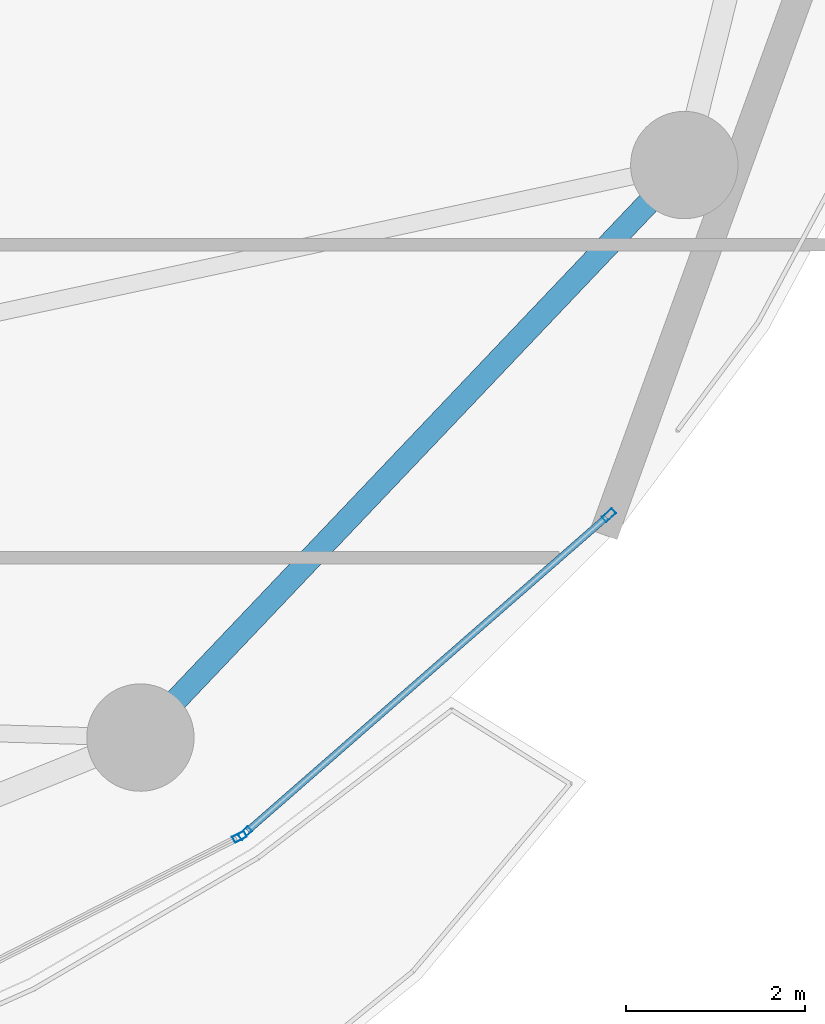
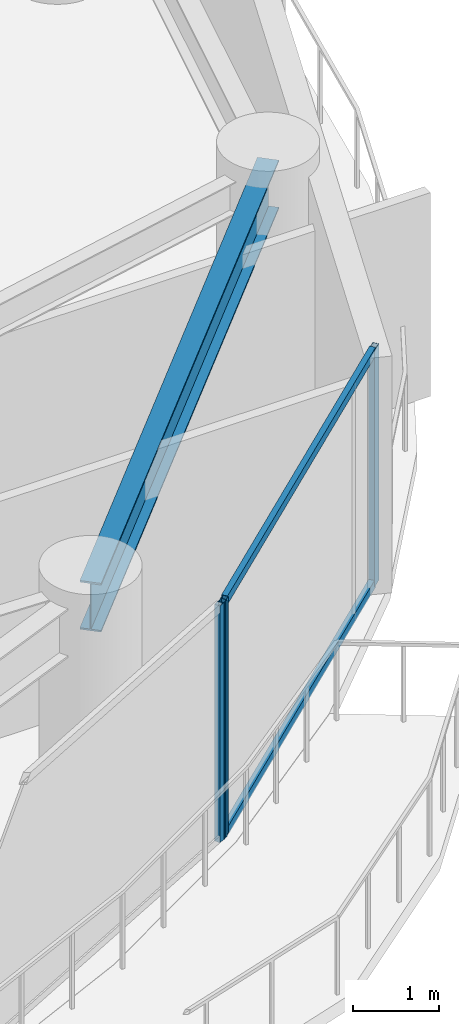
# One storey, part 13 of 30: 5 members, 1 beam, 2 elements without a shape of their own.
"""IFC4 building model written with IfcOpenShell, lengths in metres."""

import ifcopenshell
import ifcopenshell.guid

model = None  # the IFC model being written
_history = None  # IfcOwnerHistory: only IFC2X3 demands one
_inside = {}  # id of a spatial element -> (the spatial element, [elements in it])
_under = {}  # id of a project, library or spatial element -> (it, [spatial elements below it])
_declared = {}  # id of a project -> (the project, [libraries it declares])
_typed = {}  # id of a type object -> (the type object, [elements of that type])
_made_of = {}  # id of a material, layer set ... -> (it, [elements and type objects made of it])


def new_model(schema):
    """Start an empty IFC model of exactly this schema.

    Asked for "IFC4X3", IfcOpenShell would pick the latest addendum, in which some entities
    have other attributes; the version numbers below select the first issue.
    IFC2X3 requires an IfcOwnerHistory on every rooted entity: one is made here for all.
    """
    global model, _history
    if schema == "IFC4X3":
        model = ifcopenshell.file(schema_version=(4, 3, 0, 0))
    else:
        model = ifcopenshell.file(schema=schema)
    _inside.clear()
    _under.clear()
    _declared.clear()
    _typed.clear()
    _made_of.clear()
    _history = None
    if model.schema == "IFC2X3":
        org = make("IfcOrganization", Name="unknown")
        user = make(
            "IfcPersonAndOrganization",
            ThePerson=make("IfcPerson", FamilyName="unknown"),
            TheOrganization=org,
        )
        app = make(
            "IfcApplication",
            ApplicationDeveloper=org,
            Version="unknown",
            ApplicationFullName="unknown",
            ApplicationIdentifier="unknown",
        )
        _history = make(
            "IfcOwnerHistory",
            OwningUser=user,
            OwningApplication=app,
            ChangeAction="ADDED",
            CreationDate=0,
        )
    return model


def make(cls, **values):
    """One entity of the class cls with the attributes given. An attribute that is None is left unset."""
    return model.create_entity(
        cls, **{name: value for name, value in values.items() if value is not None}
    )


def rooted(cls, **values):
    """An entity with a GlobalId (a new one), such as an element, a storey or a relation."""
    return make(cls, GlobalId=ifcopenshell.guid.new(), OwnerHistory=_history, **values)


def si_unit(unit_type, name, prefix=None):
    """IfcSIUnit, for example si_unit("LENGTHUNIT", "METRE", prefix="MILLI")."""
    return make("IfcSIUnit", UnitType=unit_type, Prefix=prefix, Name=name)


def assignment(units):
    """IfcUnitAssignment: the units of a project."""
    return None if units is None else make("IfcUnitAssignment", Units=units)


def point(xyz):
    """IfcCartesianPoint."""
    return None if xyz is None else make("IfcCartesianPoint", Coordinates=xyz)


def direction(xyz):
    """IfcDirection."""
    return None if xyz is None else make("IfcDirection", DirectionRatios=xyz)


def frame(location, z_axis=None, x_axis=None):
    """IfcAxis2Placement3D, a coordinate frame: its origin and axes. An axis left out is left unset."""
    return make(
        "IfcAxis2Placement3D",
        Location=point(location),
        Axis=direction(z_axis),
        RefDirection=direction(x_axis),
    )


def frame_2d(location, x_axis=None):
    """IfcAxis2Placement2D, a coordinate frame in the plane: its origin and x axis."""
    return make(
        "IfcAxis2Placement2D", Location=point(location), RefDirection=direction(x_axis)
    )


def origin():
    """The frame at (0, 0, 0) with its axes left unset."""
    return frame((0.0, 0.0, 0.0))


def origin_2d():
    """The frame at (0, 0) in the plane with its x axis left unset."""
    return frame_2d((0.0, 0.0))


def place(relative_to, where):
    """IfcLocalPlacement: puts the frame where relative to a parent placement (None: the world)."""
    return make(
        "IfcLocalPlacement", PlacementRelTo=relative_to, RelativePlacement=where
    )


def context(
    kind, dimensions, precision=None, world=None, true_north=None, identifier=None
):
    """IfcGeometricRepresentationContext, for example the 3D "Model" context."""
    return make(
        "IfcGeometricRepresentationContext",
        ContextIdentifier=identifier,
        ContextType=kind,
        CoordinateSpaceDimension=dimensions,
        Precision=precision,
        WorldCoordinateSystem=world,
        TrueNorth=true_north,
    )


def subcontext(parent, identifier, kind, view, scale=None):
    """IfcGeometricRepresentationSubContext, for example "Body" below "Model"."""
    return make(
        "IfcGeometricRepresentationSubContext",
        ContextIdentifier=identifier,
        ContextType=kind,
        ParentContext=parent,
        TargetScale=scale,
        TargetView=view,
    )


def project(units=None, contexts=None):
    """IfcProject with its units and contexts."""
    return rooted(
        "IfcProject",
        Name="project",
        RepresentationContexts=contexts,
        UnitsInContext=assignment(units),
    )


def spatial(cls, under=None, at=None, **own):
    """A site, building, storey or space (cls), placed at a placement, below another one or the project."""
    s = rooted(cls, ObjectPlacement=at, **own)
    if under is not None:
        _under.setdefault(under.id(), (under, []))[1].append(s)
    return s


def profile(cls, at=None, kind="AREA", **sizes):
    """A parametric profile (cls). Its sizes go by their IFC names, for example OverallWidth=200.0."""
    return make(cls, ProfileType=kind, Position=at, **sizes)


def hollow_rectangle(**sizes):
    """IfcRectangleHollowProfileDef."""
    return profile("IfcRectangleHollowProfileDef", **sizes)


def i_section(**sizes):
    """IfcIShapeProfileDef."""
    return profile("IfcIShapeProfileDef", **sizes)


def extrude(swept, where, along, depth):
    """IfcExtrudedAreaSolid: the profile swept, set in the frame where, extruded along a direction by depth."""
    return make(
        "IfcExtrudedAreaSolid",
        SweptArea=swept,
        Position=where,
        ExtrudedDirection=direction(along),
        Depth=depth,
    )


def shape(context_of_items, identifier, shape_type, items):
    """IfcShapeRepresentation: the items that make up one representation, for example the "Body"."""
    return make(
        "IfcShapeRepresentation",
        ContextOfItems=context_of_items,
        RepresentationIdentifier=identifier,
        RepresentationType=shape_type,
        Items=items,
    )


def material(Name=None, Category=None):
    """IfcMaterial."""
    return make("IfcMaterial", Name=Name, Category=Category)


def layer(
    of_material, thickness, ventilated=None, Name=None, Category=None, Priority=None
):
    """IfcMaterialLayer: one layer of a wall or slab, of a material (None: an air gap)."""
    return make(
        "IfcMaterialLayer",
        Material=of_material,
        LayerThickness=thickness,
        IsVentilated=ventilated,
        Name=Name,
        Category=Category,
        Priority=Priority,
    )


def layer_set(layers, Name=None):
    """IfcMaterialLayerSet."""
    return make("IfcMaterialLayerSet", MaterialLayers=layers, LayerSetName=Name)


def material_profile(
    of_material, cross_section, Name=None, Category=None, Priority=None
):
    """IfcMaterialProfile: a cross section and its material."""
    return make(
        "IfcMaterialProfile",
        Name=Name,
        Material=of_material,
        Profile=cross_section,
        Priority=Priority,
        Category=Category,
    )


def profile_set(profiles, Name=None, composite=None):
    """IfcMaterialProfileSet."""
    return make(
        "IfcMaterialProfileSet",
        Name=Name,
        MaterialProfiles=profiles,
        CompositeProfile=composite,
    )


def made_of(thing, what):
    """Note that an element or type object is made of a material, layer set ...; save() writes the relation."""
    if what is not None:
        _made_of.setdefault(what.id(), (what, []))[1].append(thing)
    return thing


def type_object(cls, material=None, **own):
    """A type object (cls), such as IfcWallType, which elements share."""
    return made_of(rooted(cls, **own), material)


def element(
    cls,
    number,
    at=None,
    inside=None,
    cuts=None,
    type_object=None,
    material=None,
    context=None,
    identifier="Body",
    shape_type=None,
    held_by="IfcProductDefinitionShape",
    body=None,
    shapes=None,
    **own,
):
    """One element of the class cls, such as IfcWall. Its Tag is "e" and its number.

    at: its placement. inside: the storey or other place that contains it. cuts: it is an
    opening in that element (IfcRelVoidsElement). A single representation is given by context,
    identifier, shape_type and body (its items); several are given by shapes. held_by: the class
    of the entity that holds the representations. save() writes the other relations.
    """
    e = rooted(cls, Tag="e%d" % number, ObjectPlacement=at, **own)
    if body is not None:
        shapes = [shape(context, identifier, shape_type, body)]
    if shapes is not None:
        e.Representation = make(held_by, Representations=shapes)
    if inside is not None:
        _inside.setdefault(inside.id(), (inside, []))[1].append(e)
    if cuts is not None:
        rooted(
            "IfcRelVoidsElement", RelatingBuildingElement=cuts, RelatedOpeningElement=e
        )
    if type_object is not None:
        _typed.setdefault(type_object.id(), (type_object, []))[1].append(e)
    return made_of(e, material)


def aggregate(whole, parts):
    """IfcRelAggregates: a whole, such as a stair, and the parts it consists of."""
    return rooted("IfcRelAggregates", RelatingObject=whole, RelatedObjects=parts)


def save(model, path):
    """Write the relations noted so far, then the file.

    IfcRelAggregates (storeys below a building ...), IfcRelContainedInSpatialStructure (elements
    in a storey), IfcRelDefinesByType, IfcRelAssociatesMaterial and IfcRelDeclares: one each for
    every whole, place, type object, material and project.
    """
    for whole, parts in _under.values():
        aggregate(whole, parts)
    for where, things in _inside.values():
        rooted(
            "IfcRelContainedInSpatialStructure",
            RelatedElements=things,
            RelatingStructure=where,
        )
    for kind, things in _typed.values():
        rooted("IfcRelDefinesByType", RelatedObjects=things, RelatingType=kind)
    for what, things in _made_of.values():
        rooted("IfcRelAssociatesMaterial", RelatedObjects=things, RelatingMaterial=what)
    for by, libraries in _declared.values():
        rooted("IfcRelDeclares", RelatingContext=by, RelatedDefinitions=libraries)
    model.write(path)


model = new_model("IFC4")

# Units and contexts
model_context = context("Model", 3, precision=1e-05, world=origin(), true_north=direction((0.0, 1.0)))
body_context = subcontext(model_context, "Body", "Model", "MODEL_VIEW")
ifc_project = project(units=[si_unit("LENGTHUNIT", "METRE"), si_unit("AREAUNIT", "SQUARE_METRE"), si_unit("VOLUMEUNIT", "CUBIC_METRE"), si_unit("PLANEANGLEUNIT", "RADIAN"), si_unit("MASSUNIT", "GRAM", prefix="KILO")], contexts=[model_context])

# Site, building, storey
site_placement = place(None, origin())
site = spatial("IfcSite", under=ifc_project, at=site_placement, CompositionType="ELEMENT")
building_placement = place(site_placement, origin())
building = spatial("IfcBuilding", under=site, at=building_placement, Name="Kazevale Care Tower and Concert Hall", CompositionType="ELEMENT")
storey_placement = place(building_placement, frame((0.0, 0.0, 113.39990234375)))
storey = spatial("IfcBuildingStorey", under=building, at=storey_placement, Name="L29", CompositionType="ELEMENT", Elevation=113.39990234375)

# Curtain wall, members
ifc_material_1 = material(Name="Aluminium 6063-T6 and Low-E Glass", Category="aluminium")
ifc_layer = layer(ifc_material_1, 0.179931640625)
ifc_layer_set = layer_set([ifc_layer], Name="Aluminium 6063-T6 and Low-E Glass")
curtain_wall_type = type_object("IfcCurtainWallType", Name="Sheltered Concave Balcony Curtain Wall CW-5", PredefinedType="NOTDEFINED", material=ifc_layer_set)
curtain_wall_1_placement = place(storey_placement, origin())
curtain_wall_1 = element("IfcCurtainWall", 1, at=curtain_wall_1_placement, inside=storey, type_object=curtain_wall_type, Name="cw:L29:f02", PredefinedType="NOTDEFINED")
ifc_material_2 = material(Name="Aluminium 6063-T6", Category="aluminium")
ifc_material_profile_1 = material_profile(ifc_material_2, hollow_rectangle(XDim=0.074951171875, YDim=0.14990234375, WallThickness=0.00390625, at=origin_2d()), Name="ALU75x150x4")
ifc_profile_set_1 = profile_set([ifc_material_profile_1], Name="Aluminium 6063-T6")
member_type_1 = type_object("IfcMemberType", Name="CW-5 Mullion ALU75x150x4", PredefinedType="MULLION", material=ifc_profile_set_1)
member_1_placement = place(storey_placement, frame((70.06787109375, 25.477294921875, 0.0), z_axis=(0.0, 0.0, 1.0), x_axis=(0.657948668382, -0.753062779437, 0.0)))
member_1 = element("IfcMember", 2, at=member_1_placement, type_object=member_type_1, Name="CW-5 mullion 1", PredefinedType="MULLION", context=body_context, shape_type="SweptSolid", body=[
    extrude(hollow_rectangle(XDim=0.074951171875, YDim=0.14990234375, WallThickness=0.00390625, at=origin_2d()), origin(), (0.0, 0.0, 1.0), 3.360107421875),
])
member_2_placement = place(storey_placement, frame((65.999267578125, 21.922607421875, 0.0), z_axis=(0.0, 0.0, 1.0), x_axis=(0.657948668382, -0.753062779437, 0.0)))
member_2 = element("IfcMember", 3, at=member_2_placement, type_object=member_type_1, Name="CW-5 mullion 2", PredefinedType="MULLION", context=body_context, shape_type="SweptSolid", body=[
    extrude(hollow_rectangle(XDim=0.074951171875, YDim=0.14990234375, WallThickness=0.00390625, at=origin_2d()), origin(), (0.0, 0.0, 1.0), 3.360107421875),
])

# Curtain wall, member
curtain_wall_2_placement = place(storey_placement, origin())
curtain_wall_2 = element("IfcCurtainWall", 4, at=curtain_wall_2_placement, inside=storey, type_object=curtain_wall_type, Name="cw:L29:f03", PredefinedType="NOTDEFINED")
member_3_placement = place(storey_placement, frame((65.9375, 21.880859375, 0.0), z_axis=(0.0, 0.0, 1.0), x_axis=(0.455713236575, -0.890126646051, 0.0)))
member_3 = element("IfcMember", 5, at=member_3_placement, type_object=member_type_1, Name="CW-5 mullion 1", PredefinedType="MULLION", context=body_context, shape_type="SweptSolid", body=[
    extrude(hollow_rectangle(XDim=0.074951171875, YDim=0.14990234375, WallThickness=0.00390625, at=origin_2d()), origin(), (0.0, 0.0, 1.0), 3.360107421875),
])
aggregate(curtain_wall_2, [member_3])

# Member
ifc_material_profile_2 = material_profile(ifc_material_2, hollow_rectangle(XDim=0.074951171875, YDim=0.1201171875, WallThickness=0.00390625, at=origin_2d()), Name="ALU75x120x4")
ifc_profile_set_2 = profile_set([ifc_material_profile_2], Name="Aluminium 6063-T6")
member_type_2 = type_object("IfcMemberType", Name="CW-5 Transom ALU75x120x4", PredefinedType="USERDEFINED", material=ifc_profile_set_2)
member_4_placement = place(storey_placement, frame((70.03955078125, 25.45263671875, 0.03759765625), z_axis=(-0.753050570644, -0.657962641837, 0.0), x_axis=(0.657962641837, -0.753050570644, 0.0)))
member_4 = element("IfcMember", 6, at=member_4_placement, type_object=member_type_2, Name="CW-5 transom 1.1", ObjectType="TRANSOM", PredefinedType="USERDEFINED", context=body_context, shape_type="SweptSolid", body=[
    extrude(hollow_rectangle(XDim=0.074951171875, YDim=0.1201171875, WallThickness=0.00390625, at=origin_2d()), origin(), (0.0, 0.0, 1.0), 5.32763671875),
])

member_5_placement = place(storey_placement, frame((70.03955078125, 25.45263671875, 3.322509765625), z_axis=(-0.753050570644, -0.657962641837, 0.0), x_axis=(0.657962641837, -0.753050570644, 0.0)))
member_5 = element("IfcMember", 7, at=member_5_placement, type_object=member_type_2, Name="CW-5 transom 1.2", ObjectType="TRANSOM", PredefinedType="USERDEFINED", context=body_context, shape_type="SweptSolid", body=[
    extrude(hollow_rectangle(XDim=0.074951171875, YDim=0.1201171875, WallThickness=0.00390625, at=origin_2d()), origin(), (0.0, 0.0, 1.0), 5.32763671875),
])

aggregate(curtain_wall_1, [member_1, member_2, member_4, member_5])

# Beam
ifc_material_3 = material(Name="Steel ASTM A572 Gr 50", Category="steel")
ifc_material_profile_3 = material_profile(ifc_material_3, i_section(OverallWidth=0.256103515625, OverallDepth=0.693115234375, WebThickness=0.014404296875, FlangeThickness=0.023681640625, at=origin_2d()), Name="W690x170")
ifc_profile_set_3 = profile_set([ifc_material_profile_3], Name="Steel ASTM A572 Gr 50")
beam_type = type_object("IfcBeamType", Name="Waist Ring Beam W690x170", PredefinedType="BEAM", material=ifc_profile_set_3)
beam_placement = place(storey_placement, frame((64.830078125, 22.989990234375, 3.013671875), z_axis=(0.688745100728, 0.725003576697, 0.0), x_axis=(-0.725003576697, 0.688745100728, 0.0)))
element("IfcBeam", 8, at=beam_placement, inside=storey, type_object=beam_type, Name="beam:L29:ring:15", PredefinedType="BEAM", context=body_context, shape_type="SweptSolid", body=[
    extrude(i_section(OverallWidth=0.256103515625, OverallDepth=0.693115234375, WebThickness=0.014404296875, FlangeThickness=0.023681640625, at=origin_2d()), origin(), (0.0, 0.0, 1.0), 8.827392578125),
])

save(model, "model.ifc")
